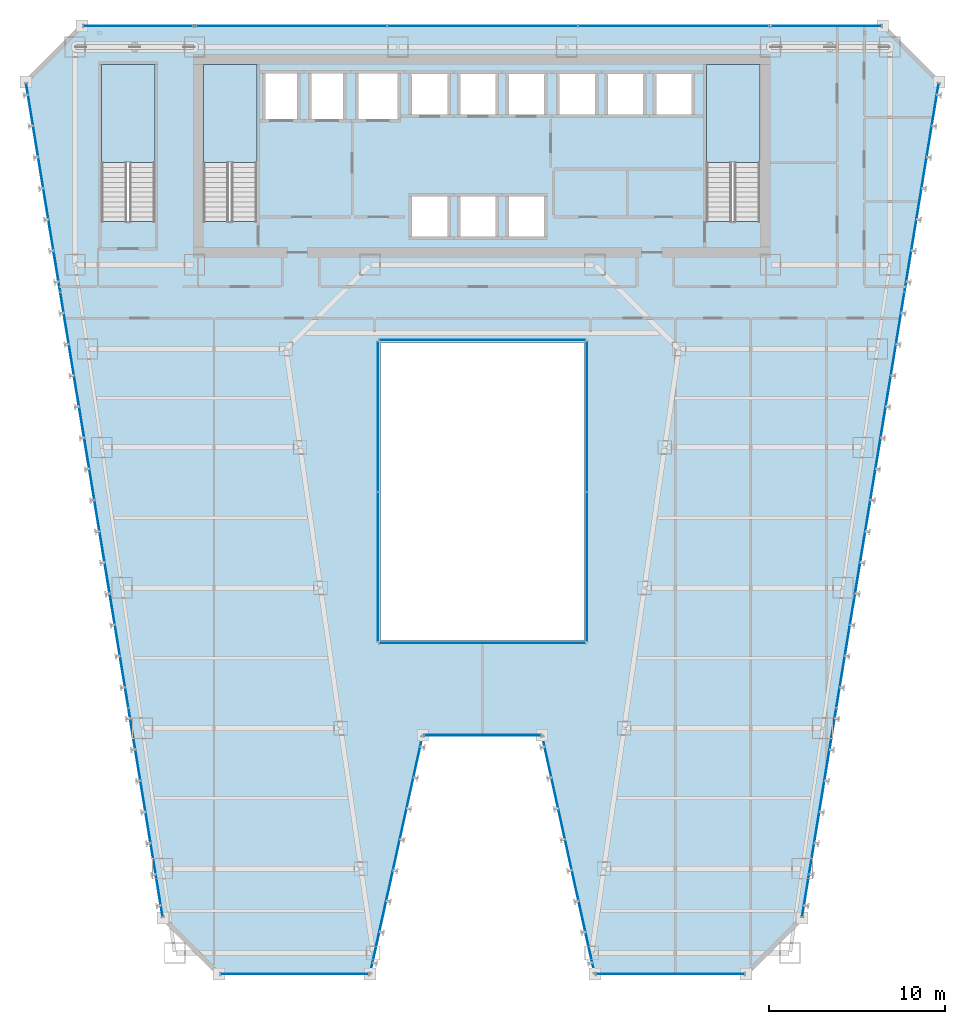
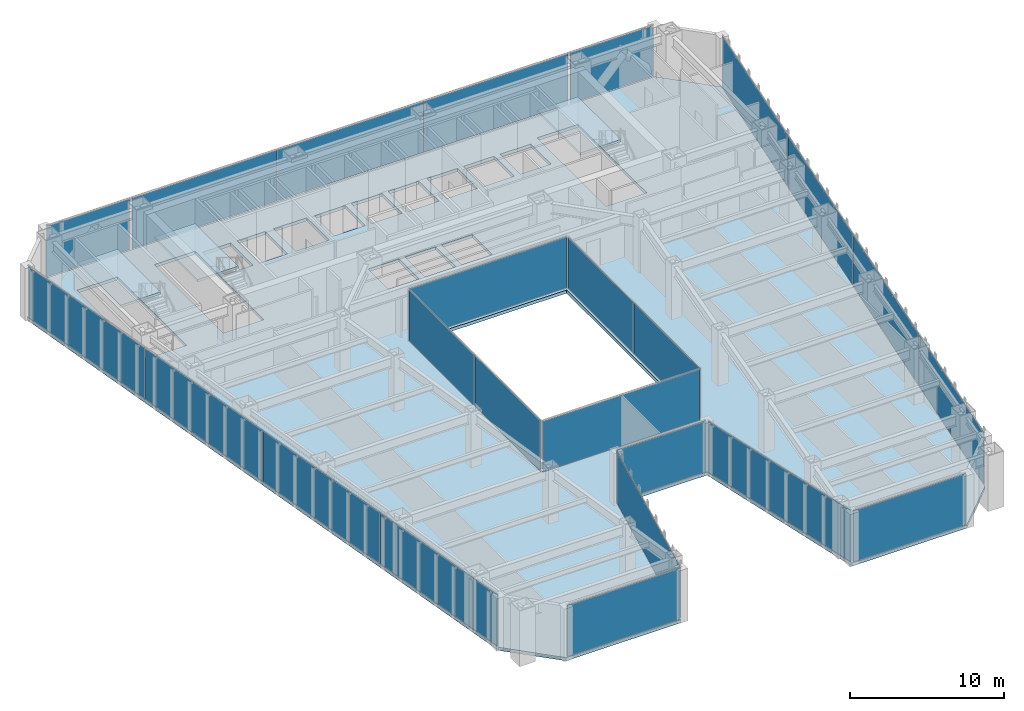
# One storey, part 34 of 47: 24 plates, 4 slabs, 17 elements without a shape of their own.
"""IFC4 building model written with IfcOpenShell, lengths in metres."""

from ifc_helpers import new_model, si_unit, direction, frame, origin, origin_2d, place, context, subcontext, project, spatial, polyline, rectangle, outline, extrude, material, layer, layer_set, type_object, element, aggregate, save


model = new_model("IFC4")

# Units and contexts
model_context = context("Model", 3, precision=1e-05, world=origin(), true_north=direction((0.0, 1.0)))
body_context = subcontext(model_context, "Body", "Model", "MODEL_VIEW")
ifc_project = project(units=[si_unit("LENGTHUNIT", "METRE"), si_unit("AREAUNIT", "SQUARE_METRE"), si_unit("VOLUMEUNIT", "CUBIC_METRE"), si_unit("PLANEANGLEUNIT", "RADIAN"), si_unit("MASSUNIT", "GRAM", prefix="KILO")], contexts=[model_context])

# Site, building, storey
site_placement = place(None, origin())
site = spatial("IfcSite", under=ifc_project, at=site_placement, CompositionType="ELEMENT")
building_placement = place(site_placement, origin())
building = spatial("IfcBuilding", under=site, at=building_placement, Name="Saevonmaru Cultural Tower", CompositionType="ELEMENT")
storey_placement = place(building_placement, frame((0.0, 0.0, 56.0)))
storey = spatial("IfcBuildingStorey", under=building, at=storey_placement, Name="L11", CompositionType="ELEMENT", Elevation=56.0)

# Curtain wall, plate
ifc_material_1 = material(Name="Satin Bronze Anodised Aluminium", Category="aluminium")
curtain_wall_type_1 = type_object("IfcCurtainWallType", Name="CW-ATR-GLZ", PredefinedType="NOTDEFINED", material=ifc_material_1)
curtain_wall_1_placement = place(storey_placement, origin())
curtain_wall_1 = element("IfcCurtainWall", 1, at=curtain_wall_1_placement, inside=storey, type_object=curtain_wall_type_1, Name="L11 Vertical Atrium Glazed Smoke Screen 1", PredefinedType="NOTDEFINED")
ifc_material_2 = material(Name="Fire-Rated Laminated Atrium Glass", Category="glass")
ifc_layer_1 = layer(ifc_material_2, 0.031982421875, Name="Fire-Rated Laminated Atrium Glass")
ifc_layer_set_1 = layer_set([ifc_layer_1], Name="Fire-Rated Laminated Atrium Glass")
plate_type_1 = type_object("IfcPlateType", Name="PN-GLZ-ATR-INT", PredefinedType="CURTAIN_PANEL", material=ifc_layer_set_1)
plate_1_placement = place(storey_placement, frame((30.0, 20.85009765625, 0.06689453125), z_axis=(0.0, 0.0, 1.0), x_axis=(1.0, 0.0, 0.0)))
plate_1 = element("IfcPlate", 2, at=plate_1_placement, type_object=plate_type_1, Name="CW-ATR-L11-1 panel 1.1", PredefinedType="CURTAIN_PANEL", context=body_context, shape_type="SweptSolid", body=[
    extrude(rectangle(XDim=11.7109375, YDim=0.031982421875, at=origin_2d()), origin(), (0.0, 0.0, 1.0), 4.01611328125),
])
aggregate(curtain_wall_1, [plate_1])

# Curtain wall, plates
curtain_wall_2_placement = place(storey_placement, origin())
curtain_wall_2 = element("IfcCurtainWall", 3, at=curtain_wall_2_placement, inside=storey, type_object=curtain_wall_type_1, Name="L11 Vertical Atrium Glazed Smoke Screen 2", PredefinedType="NOTDEFINED")
plate_2_placement = place(storey_placement, frame((35.949951171875, 25.195068359375, 0.06689453125), z_axis=(0.0, 0.0, 1.0), x_axis=(0.0, 1.0, 0.0)))
plate_2 = element("IfcPlate", 4, at=plate_2_placement, type_object=plate_type_1, Name="CW-ATR-L11-2 panel 1.1", PredefinedType="CURTAIN_PANEL", context=body_context, shape_type="SweptSolid", body=[
    extrude(rectangle(XDim=8.5009765625, YDim=0.031982421875, at=origin_2d()), origin(), (0.0, 0.0, 1.0), 4.01611328125),
])
plate_3_placement = place(storey_placement, frame((35.949951171875, 33.764892578125, 0.06689453125), z_axis=(0.0, 0.0, 1.0), x_axis=(0.0, 1.0, 0.0)))
plate_3 = element("IfcPlate", 5, at=plate_3_placement, type_object=plate_type_1, Name="CW-ATR-L11-2 panel 2.1", PredefinedType="CURTAIN_PANEL", context=body_context, shape_type="SweptSolid", body=[
    extrude(rectangle(XDim=8.5009765625, YDim=0.031982421875, at=origin_2d()), origin(), (0.0, 0.0, 1.0), 4.01611328125),
])
aggregate(curtain_wall_2, [plate_2, plate_3])

# Curtain wall, plate
curtain_wall_3_placement = place(storey_placement, origin())
curtain_wall_3 = element("IfcCurtainWall", 6, at=curtain_wall_3_placement, inside=storey, type_object=curtain_wall_type_1, Name="L11 Vertical Atrium Glazed Smoke Screen 3", PredefinedType="NOTDEFINED")
plate_4_placement = place(storey_placement, frame((30.0, 38.110107421875, 0.06689453125), z_axis=(0.0, 0.0, 1.0), x_axis=(-1.0, 0.0, 0.0)))
plate_4 = element("IfcPlate", 7, at=plate_4_placement, type_object=plate_type_1, Name="CW-ATR-L11-3 panel 1.1", PredefinedType="CURTAIN_PANEL", context=body_context, shape_type="SweptSolid", body=[
    extrude(rectangle(XDim=11.7109375, YDim=0.031982421875, at=origin_2d()), origin(), (0.0, 0.0, 1.0), 4.01611328125),
])
aggregate(curtain_wall_3, [plate_4])

# Curtain wall, plates
curtain_wall_4_placement = place(storey_placement, origin())
curtain_wall_4 = element("IfcCurtainWall", 8, at=curtain_wall_4_placement, inside=storey, type_object=curtain_wall_type_1, Name="L11 Vertical Atrium Glazed Smoke Screen 4", PredefinedType="NOTDEFINED")
plate_5_placement = place(storey_placement, frame((24.050048828125, 33.764892578125, 0.06689453125), z_axis=(0.0, 0.0, 1.0), x_axis=(0.0, -1.0, 0.0)))
plate_5 = element("IfcPlate", 9, at=plate_5_placement, type_object=plate_type_1, Name="CW-ATR-L11-4 panel 1.1", PredefinedType="CURTAIN_PANEL", context=body_context, shape_type="SweptSolid", body=[
    extrude(rectangle(XDim=8.5009765625, YDim=0.031982421875, at=origin_2d()), origin(), (0.0, 0.0, 1.0), 4.01611328125),
])
plate_6_placement = place(storey_placement, frame((24.050048828125, 25.195068359375, 0.06689453125), z_axis=(0.0, 0.0, 1.0), x_axis=(0.0, -1.0, 0.0)))
plate_6 = element("IfcPlate", 10, at=plate_6_placement, type_object=plate_type_1, Name="CW-ATR-L11-4 panel 2.1", PredefinedType="CURTAIN_PANEL", context=body_context, shape_type="SweptSolid", body=[
    extrude(rectangle(XDim=8.5009765625, YDim=0.031982421875, at=origin_2d()), origin(), (0.0, 0.0, 1.0), 4.01611328125),
])
aggregate(curtain_wall_4, [plate_5, plate_6])

# Curtain wall, plate
curtain_wall_type_2 = type_object("IfcCurtainWallType", Name="CW-TYP-A", PredefinedType="NOTDEFINED", material=ifc_material_1)
curtain_wall_5_placement = place(storey_placement, origin())
curtain_wall_5 = element("IfcCurtainWall", 11, at=curtain_wall_5_placement, inside=storey, type_object=curtain_wall_type_2, Name="L11 Unitised Curtain Wall E2", PredefinedType="NOTDEFINED")
ifc_material_3 = material(Name="Triple Silver Low-E Insulating Glass", Category="glass")
ifc_layer_2 = layer(ifc_material_3, 0.035888671875, Name="Triple Silver Low-E Insulating Glass")
ifc_layer_set_2 = layer_set([ifc_layer_2], Name="Triple Silver Low-E Insulating Glass")
plate_type_2 = type_object("IfcPlateType", Name="PN-GLZ-IGU", PredefinedType="CURTAIN_PANEL", material=ifc_layer_set_2)
plate_7_placement = place(storey_placement, frame((19.300048828125, 2.0, 0.06689453125), z_axis=(0.0, 0.0, 1.0), x_axis=(1.0, 0.0, 0.0)))
plate_7 = element("IfcPlate", 12, at=plate_7_placement, type_object=plate_type_2, Name="CW-TW-L11-E2 panel 1.1", PredefinedType="CURTAIN_PANEL", context=body_context, shape_type="SweptSolid", body=[
    extrude(rectangle(XDim=8.410888671875, YDim=0.035888671875, at=origin_2d()), origin(), (0.0, 0.0, 1.0), 4.01611328125),
])
aggregate(curtain_wall_5, [plate_7])

curtain_wall_6_placement = place(storey_placement, origin())
curtain_wall_6 = element("IfcCurtainWall", 13, at=curtain_wall_6_placement, inside=storey, type_object=curtain_wall_type_2, Name="L11 Unitised Curtain Wall E3", PredefinedType="NOTDEFINED")
plate_8_placement = place(storey_placement, frame((25.10009765625, 8.800048828125, 0.06689453125), z_axis=(0.0, 0.0, 1.0), x_axis=(0.215413319953, 0.976522965212, 0.0)))
plate_8 = element("IfcPlate", 14, at=plate_8_placement, type_object=plate_type_2, Name="CW-TW-L11-E3 panel 1.1", PredefinedType="CURTAIN_PANEL", context=body_context, shape_type="SweptSolid", body=[
    extrude(rectangle(XDim=13.738037109375, YDim=0.035888671875, at=origin_2d()), origin(), (0.0, 0.0, 1.0), 4.01611328125),
])
aggregate(curtain_wall_6, [plate_8])

curtain_wall_7_placement = place(storey_placement, origin())
curtain_wall_7 = element("IfcCurtainWall", 15, at=curtain_wall_7_placement, inside=storey, type_object=curtain_wall_type_2, Name="L11 Unitised Curtain Wall E4", PredefinedType="NOTDEFINED")
plate_9_placement = place(storey_placement, frame((30.0, 15.60009765625, 0.06689453125), z_axis=(0.0, 0.0, 1.0), x_axis=(1.0, 0.0, 0.0)))
plate_9 = element("IfcPlate", 16, at=plate_9_placement, type_object=plate_type_2, Name="CW-TW-L11-E4 panel 1.1", PredefinedType="CURTAIN_PANEL", context=body_context, shape_type="SweptSolid", body=[
    extrude(rectangle(XDim=6.611083984375, YDim=0.035888671875, at=origin_2d()), origin(), (0.0, 0.0, 1.0), 4.01611328125),
])
aggregate(curtain_wall_7, [plate_9])

curtain_wall_8_placement = place(storey_placement, origin())
curtain_wall_8 = element("IfcCurtainWall", 17, at=curtain_wall_8_placement, inside=storey, type_object=curtain_wall_type_2, Name="L11 Unitised Curtain Wall E5", PredefinedType="NOTDEFINED")
plate_10_placement = place(storey_placement, frame((34.89990234375, 8.800048828125, 0.06689453125), z_axis=(0.0, 0.0, 1.0), x_axis=(0.215413319953, -0.976522965212, 0.0)))
plate_10 = element("IfcPlate", 18, at=plate_10_placement, type_object=plate_type_2, Name="CW-TW-L11-E5 panel 1.1", PredefinedType="CURTAIN_PANEL", context=body_context, shape_type="SweptSolid", body=[
    extrude(rectangle(XDim=13.738037109375, YDim=0.035888671875, at=origin_2d()), origin(), (0.0, 0.0, 1.0), 4.01611328125),
])
aggregate(curtain_wall_8, [plate_10])

curtain_wall_9_placement = place(storey_placement, origin())
curtain_wall_9 = element("IfcCurtainWall", 19, at=curtain_wall_9_placement, inside=storey, type_object=curtain_wall_type_2, Name="L11 Unitised Curtain Wall E6", PredefinedType="NOTDEFINED")
plate_11_placement = place(storey_placement, frame((40.699951171875, 2.0, 0.06689453125), z_axis=(0.0, 0.0, 1.0), x_axis=(1.0, 0.0, 0.0)))
plate_11 = element("IfcPlate", 20, at=plate_11_placement, type_object=plate_type_2, Name="CW-TW-L11-E6 panel 1.1", PredefinedType="CURTAIN_PANEL", context=body_context, shape_type="SweptSolid", body=[
    extrude(rectangle(XDim=8.410888671875, YDim=0.035888671875, at=origin_2d()), origin(), (0.0, 0.0, 1.0), 4.01611328125),
])
aggregate(curtain_wall_9, [plate_11])

# Curtain wall, plates
curtain_wall_10_placement = place(storey_placement, origin())
curtain_wall_10 = element("IfcCurtainWall", 21, at=curtain_wall_10_placement, inside=storey, type_object=curtain_wall_type_2, Name="L11 Unitised Curtain Wall E8", PredefinedType="NOTDEFINED")
plate_12_placement = place(storey_placement, frame((49.182373046875, 11.1943359375, 0.06689453125), z_axis=(0.0, 0.0, 1.0), x_axis=(0.161708868641, 0.986838508472, 0.0)))
plate_12 = element("IfcPlate", 22, at=plate_12_placement, type_object=plate_type_2, Name="CW-TW-L11-E8 panel 1.1", PredefinedType="CURTAIN_PANEL", context=body_context, shape_type="SweptSolid", body=[
    extrude(rectangle(XDim=11.959716796875, YDim=0.035888671875, at=origin_2d()), origin(), (0.0, 0.0, 1.0), 4.01611328125),
])
plate_13_placement = place(storey_placement, frame((51.12744140625, 23.064697265625, 0.06689453125), z_axis=(0.0, 0.0, 1.0), x_axis=(0.161708868641, 0.986838508472, 0.0)))
plate_13 = element("IfcPlate", 23, at=plate_13_placement, type_object=plate_type_2, Name="CW-TW-L11-E8 panel 2.1", PredefinedType="CURTAIN_PANEL", context=body_context, shape_type="SweptSolid", body=[
    extrude(rectangle(XDim=11.959716796875, YDim=0.035888671875, at=origin_2d()), origin(), (0.0, 0.0, 1.0), 4.01611328125),
])
plate_14_placement = place(storey_placement, frame((53.072509765625, 34.935302734375, 0.06689453125), z_axis=(0.0, 0.0, 1.0), x_axis=(0.161708868641, 0.986838508472, 0.0)))
plate_14 = element("IfcPlate", 24, at=plate_14_placement, type_object=plate_type_2, Name="CW-TW-L11-E8 panel 3.1", PredefinedType="CURTAIN_PANEL", context=body_context, shape_type="SweptSolid", body=[
    extrude(rectangle(XDim=11.959716796875, YDim=0.035888671875, at=origin_2d()), origin(), (0.0, 0.0, 1.0), 4.01611328125),
])
plate_15_placement = place(storey_placement, frame((55.017822265625, 46.8056640625, 0.06689453125), z_axis=(0.0, 0.0, 1.0), x_axis=(0.161708868641, 0.986838508472, 0.0)))
plate_15 = element("IfcPlate", 25, at=plate_15_placement, type_object=plate_type_2, Name="CW-TW-L11-E8 panel 4.1", PredefinedType="CURTAIN_PANEL", context=body_context, shape_type="SweptSolid", body=[
    extrude(rectangle(XDim=11.959716796875, YDim=0.035888671875, at=origin_2d()), origin(), (0.0, 0.0, 1.0), 4.01611328125),
])
aggregate(curtain_wall_10, [plate_12, plate_13, plate_14, plate_15])

curtain_wall_11_placement = place(storey_placement, origin())
curtain_wall_11 = element("IfcCurtainWall", 26, at=curtain_wall_11_placement, inside=storey, type_object=curtain_wall_type_2, Name="L11 North Spine Unitised Curtain Wall E10B", PredefinedType="NOTDEFINED")
plate_16_placement = place(storey_placement, frame((40.893310546875, 56.0, 0.06689453125), z_axis=(0.0, 0.0, 1.0), x_axis=(-1.0, 0.0, 0.0)))
plate_16 = element("IfcPlate", 27, at=plate_16_placement, type_object=plate_type_2, Name="CW-TW-L11-E10B panel 1.1", PredefinedType="CURTAIN_PANEL", context=body_context, shape_type="SweptSolid", body=[
    extrude(rectangle(XDim=10.82421875, YDim=0.035888671875, at=origin_2d()), origin(), (0.0, 0.0, 1.0), 4.01611328125),
])
plate_17_placement = place(storey_placement, frame((30.0, 56.0, 0.06689453125), z_axis=(0.0, 0.0, 1.0), x_axis=(-1.0, 0.0, 0.0)))
plate_17 = element("IfcPlate", 28, at=plate_17_placement, type_object=plate_type_2, Name="CW-TW-L11-E10B panel 2.1", PredefinedType="CURTAIN_PANEL", context=body_context, shape_type="SweptSolid", body=[
    extrude(rectangle(XDim=10.82421875, YDim=0.035888671875, at=origin_2d()), origin(), (0.0, 0.0, 1.0), 4.01611328125),
])
plate_18_placement = place(storey_placement, frame((19.106689453125, 56.0, 0.06689453125), z_axis=(0.0, 0.0, 1.0), x_axis=(-1.0, 0.0, 0.0)))
plate_18 = element("IfcPlate", 29, at=plate_18_placement, type_object=plate_type_2, Name="CW-TW-L11-E10B panel 3.1", PredefinedType="CURTAIN_PANEL", context=body_context, shape_type="SweptSolid", body=[
    extrude(rectangle(XDim=10.82421875, YDim=0.035888671875, at=origin_2d()), origin(), (0.0, 0.0, 1.0), 4.01611328125),
])
aggregate(curtain_wall_11, [plate_16, plate_17, plate_18])

curtain_wall_12_placement = place(storey_placement, origin())
curtain_wall_12 = element("IfcCurtainWall", 30, at=curtain_wall_12_placement, inside=storey, type_object=curtain_wall_type_2, Name="L11 Unitised Curtain Wall E12", PredefinedType="NOTDEFINED")
plate_19_placement = place(storey_placement, frame((4.982177734375, 46.8056640625, 0.06689453125), z_axis=(0.0, 0.0, 1.0), x_axis=(0.161708868641, -0.986838508472, 0.0)))
plate_19 = element("IfcPlate", 31, at=plate_19_placement, type_object=plate_type_2, Name="CW-TW-L11-E12 panel 1.1", PredefinedType="CURTAIN_PANEL", context=body_context, shape_type="SweptSolid", body=[
    extrude(rectangle(XDim=11.959716796875, YDim=0.035888671875, at=origin_2d()), origin(), (0.0, 0.0, 1.0), 4.01611328125),
])
plate_20_placement = place(storey_placement, frame((6.927490234375, 34.935302734375, 0.06689453125), z_axis=(0.0, 0.0, 1.0), x_axis=(0.161708868641, -0.986838508472, 0.0)))
plate_20 = element("IfcPlate", 32, at=plate_20_placement, type_object=plate_type_2, Name="CW-TW-L11-E12 panel 2.1", PredefinedType="CURTAIN_PANEL", context=body_context, shape_type="SweptSolid", body=[
    extrude(rectangle(XDim=11.959716796875, YDim=0.035888671875, at=origin_2d()), origin(), (0.0, 0.0, 1.0), 4.01611328125),
])
plate_21_placement = place(storey_placement, frame((8.87255859375, 23.064697265625, 0.06689453125), z_axis=(0.0, 0.0, 1.0), x_axis=(0.161708868641, -0.986838508472, 0.0)))
plate_21 = element("IfcPlate", 33, at=plate_21_placement, type_object=plate_type_2, Name="CW-TW-L11-E12 panel 3.1", PredefinedType="CURTAIN_PANEL", context=body_context, shape_type="SweptSolid", body=[
    extrude(rectangle(XDim=11.959716796875, YDim=0.035888671875, at=origin_2d()), origin(), (0.0, 0.0, 1.0), 4.01611328125),
])
plate_22_placement = place(storey_placement, frame((10.817626953125, 11.1943359375, 0.06689453125), z_axis=(0.0, 0.0, 1.0), x_axis=(0.161708868641, -0.986838508472, 0.0)))
plate_22 = element("IfcPlate", 34, at=plate_22_placement, type_object=plate_type_2, Name="CW-TW-L11-E12 panel 4.1", PredefinedType="CURTAIN_PANEL", context=body_context, shape_type="SweptSolid", body=[
    extrude(rectangle(XDim=11.959716796875, YDim=0.035888671875, at=origin_2d()), origin(), (0.0, 0.0, 1.0), 4.01611328125),
])
aggregate(curtain_wall_12, [plate_19, plate_20, plate_21, plate_22])

# Curtain wall, plate
curtain_wall_13_placement = place(storey_placement, origin())
curtain_wall_13 = element("IfcCurtainWall", 35, at=curtain_wall_13_placement, inside=storey, type_object=curtain_wall_type_2, Name="L11 East Braced Bay Spandrel Curtain Wall E10A", PredefinedType="NOTDEFINED")
ifc_material_4 = material(Name="Insulated Satin Bronze Aluminium Spandrel Panel", Category="aluminium")
ifc_layer_3 = layer(ifc_material_4, 0.0400390625, Name="Insulated Satin Bronze Aluminium Spandrel Panel")
ifc_layer_set_3 = layer_set([ifc_layer_3], Name="Insulated Satin Bronze Aluminium Spandrel Panel")
plate_type_3 = type_object("IfcPlateType", Name="PN-SPANDREL-BRONZE", PredefinedType="CURTAIN_PANEL", material=ifc_layer_set_3)
plate_23_placement = place(storey_placement, frame((49.60009765625, 56.0, 0.06689453125), z_axis=(0.0, 0.0, 1.0), x_axis=(-1.0, 0.0, 0.0)))
plate_23 = element("IfcPlate", 36, at=plate_23_placement, type_object=plate_type_3, Name="CW-TW-L11-E10A panel 1.1", PredefinedType="CURTAIN_PANEL", context=body_context, shape_type="SweptSolid", body=[
    extrude(rectangle(XDim=6.2109375, YDim=0.035888671875, at=origin_2d()), origin(), (0.0, 0.0, 1.0), 4.01611328125),
])
aggregate(curtain_wall_13, [plate_23])

curtain_wall_14_placement = place(storey_placement, origin())
curtain_wall_14 = element("IfcCurtainWall", 37, at=curtain_wall_14_placement, inside=storey, type_object=curtain_wall_type_2, Name="L11 West Braced Bay Spandrel Curtain Wall E10C", PredefinedType="NOTDEFINED")
plate_24_placement = place(storey_placement, frame((10.39990234375, 56.0, 0.06689453125), z_axis=(0.0, 0.0, 1.0), x_axis=(-1.0, 0.0, 0.0)))
plate_24 = element("IfcPlate", 38, at=plate_24_placement, type_object=plate_type_3, Name="CW-TW-L11-E10C panel 1.1", PredefinedType="CURTAIN_PANEL", context=body_context, shape_type="SweptSolid", body=[
    extrude(rectangle(XDim=6.2109375, YDim=0.035888671875, at=origin_2d()), origin(), (0.0, 0.0, 1.0), 4.01611328125),
])
aggregate(curtain_wall_14, [plate_24])

# Slab
ifc_material_5 = material(Name="Concrete C40/50", Category="concrete")
ifc_layer_4 = layer(ifc_material_5, 0.25, Name="Concrete C40/50")
ifc_layer_set_4 = layer_set([ifc_layer_4], Name="Concrete C40/50")
slab_type_1 = type_object("IfcSlabType", Name="SL-FLR-250", PredefinedType="FLOOR", material=ifc_layer_set_4)
slab_1_placement = place(storey_placement, frame((0.0, 0.0, -0.25)))
element("IfcSlab", 39, at=slab_1_placement, inside=storey, type_object=slab_type_1, Name="L11 Tower Structural Floor Slab", PredefinedType="FLOOR", context=body_context, shape_type="SweptSolid", body=[
    extrude(outline(polyline([(11.800048828125, 5.199951171875), (15.0, 2.0), (23.60009765625, 2.0), (26.60009765625, 15.60009765625), (33.39990234375, 15.60009765625), (36.39990234375, 2.0), (45.0, 2.0), (48.199951171875, 5.199951171875), (56.0, 52.800048828125), (52.800048828125, 56.0), (7.199951171875, 56.0), (4.0, 52.800048828125), (11.800048828125, 5.199951171875)]), holes=[polyline([(45.800048828125, 44.875), (42.75, 44.875), (42.75, 53.800048828125), (45.800048828125, 53.800048828125), (45.800048828125, 44.875)]), polyline([(39.75, 50.800048828125), (39.75, 53.39990234375), (42.050048828125, 53.39990234375), (42.050048828125, 50.800048828125), (39.75, 50.800048828125)]), polyline([(37.0, 50.800048828125), (37.0, 53.39990234375), (39.300048828125, 53.39990234375), (39.300048828125, 50.800048828125), (37.0, 50.800048828125)]), polyline([(34.25, 50.800048828125), (34.25, 53.39990234375), (36.550048828125, 53.39990234375), (36.550048828125, 50.800048828125), (34.25, 50.800048828125)]), polyline([(24.199951171875, 21.0), (24.199951171875, 37.9599609375), (35.800048828125, 37.9599609375), (35.800048828125, 21.0), (24.199951171875, 21.0)]), polyline([(31.35009765625, 50.800048828125), (31.35009765625, 53.39990234375), (33.64990234375, 53.39990234375), (33.64990234375, 50.800048828125), (31.35009765625, 50.800048828125)]), polyline([(31.35009765625, 43.85009765625), (31.35009765625, 46.449951171875), (33.64990234375, 46.449951171875), (33.64990234375, 43.85009765625), (31.35009765625, 43.85009765625)]), polyline([(28.60009765625, 43.85009765625), (28.60009765625, 46.449951171875), (30.89990234375, 46.449951171875), (30.89990234375, 43.85009765625), (28.60009765625, 43.85009765625)]), polyline([(28.60009765625, 50.800048828125), (28.60009765625, 53.39990234375), (30.89990234375, 53.39990234375), (30.89990234375, 50.800048828125), (28.60009765625, 50.800048828125)]), polyline([(25.85009765625, 50.800048828125), (25.85009765625, 53.39990234375), (28.14990234375, 53.39990234375), (28.14990234375, 50.800048828125), (25.85009765625, 50.800048828125)]), polyline([(25.85009765625, 43.85009765625), (25.85009765625, 46.449951171875), (28.14990234375, 46.449951171875), (28.14990234375, 43.85009765625), (25.85009765625, 43.85009765625)]), polyline([(22.800048828125, 50.550048828125), (22.800048828125, 53.449951171875), (25.300048828125, 53.449951171875), (25.300048828125, 50.550048828125), (22.800048828125, 50.550048828125)]), polyline([(20.10009765625, 50.550048828125), (20.10009765625, 53.449951171875), (22.199951171875, 53.449951171875), (22.199951171875, 50.550048828125), (20.10009765625, 50.550048828125)]), polyline([(17.5, 50.550048828125), (17.5, 53.449951171875), (19.60009765625, 53.449951171875), (19.60009765625, 50.550048828125), (17.5, 50.550048828125)]), polyline([(17.14990234375, 44.875), (14.10009765625, 44.875), (14.10009765625, 53.800048828125), (17.14990234375, 53.800048828125), (17.14990234375, 44.875)]), polyline([(11.35009765625, 44.875), (8.300048828125, 44.875), (8.300048828125, 53.800048828125), (11.35009765625, 53.800048828125), (11.35009765625, 44.875)])]), origin(), (0.0, 0.0, 1.0), 0.25),
])

# Stair, slab
stair_type = type_object("IfcStairType", Name="STR-DOGLEG-RC", PredefinedType="HALF_TURN_STAIR", material=ifc_material_5)
stair_1_placement = place(storey_placement, origin())
stair_1 = element("IfcStair", 40, at=stair_1_placement, inside=storey, type_object=stair_type, Name="L11 Protected exit stair ST-1", PredefinedType="HALF_TURN_STAIR")
ifc_layer_5 = layer(ifc_material_5, 0.199951171875, Name="Concrete C40/50")
ifc_layer_set_5 = layer_set([ifc_layer_5], Name="Concrete C40/50")
slab_type_2 = type_object("IfcSlabType", Name="SL-STAIR-LANDING", PredefinedType="LANDING", material=ifc_layer_set_5)
slab_2_placement = place(storey_placement, frame((0.0, 0.0, 2.0)))
slab_2 = element("IfcSlab", 41, at=slab_2_placement, type_object=slab_type_2, Name="ST-1-L11 landing 1", PredefinedType="LANDING", context=body_context, shape_type="SweptSolid", body=[
    extrude(outline(polyline([(17.14990234375, 48.2099609375), (17.14990234375, 53.800048828125), (14.10009765625, 53.800048828125), (14.10009765625, 48.2099609375), (17.14990234375, 48.2099609375)])), origin(), (0.0, 0.0, 1.0), 0.199951171875),
])
aggregate(stair_1, [slab_2])

stair_2_placement = place(storey_placement, origin())
stair_2 = element("IfcStair", 42, at=stair_2_placement, inside=storey, type_object=stair_type, Name="L11 Protected exit stair ST-2", PredefinedType="HALF_TURN_STAIR")
slab_3_placement = place(storey_placement, frame((0.0, 0.0, 2.0)))
slab_3 = element("IfcSlab", 43, at=slab_3_placement, type_object=slab_type_2, Name="ST-2-L11 landing 1", PredefinedType="LANDING", context=body_context, shape_type="SweptSolid", body=[
    extrude(outline(polyline([(45.800048828125, 48.2099609375), (45.800048828125, 53.800048828125), (42.75, 53.800048828125), (42.75, 48.2099609375), (45.800048828125, 48.2099609375)])), origin(), (0.0, 0.0, 1.0), 0.199951171875),
])
aggregate(stair_2, [slab_3])

stair_3_placement = place(storey_placement, origin())
stair_3 = element("IfcStair", 44, at=stair_3_placement, inside=storey, type_object=stair_type, Name="L11 Protected exit stair ST-3", PredefinedType="HALF_TURN_STAIR")
slab_4_placement = place(storey_placement, frame((0.0, 0.0, 2.0)))
slab_4 = element("IfcSlab", 45, at=slab_4_placement, type_object=slab_type_2, Name="ST-3-L11 landing 1", PredefinedType="LANDING", context=body_context, shape_type="SweptSolid", body=[
    extrude(outline(polyline([(11.35009765625, 48.2099609375), (11.35009765625, 53.800048828125), (8.300048828125, 53.800048828125), (8.300048828125, 48.2099609375), (11.35009765625, 48.2099609375)])), origin(), (0.0, 0.0, 1.0), 0.199951171875),
])
aggregate(stair_3, [slab_4])

save(model, "model.ifc")
